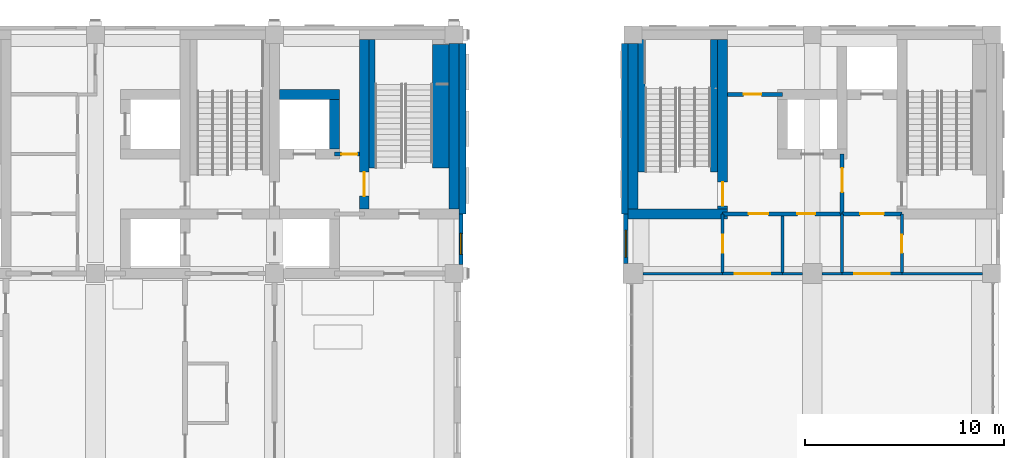
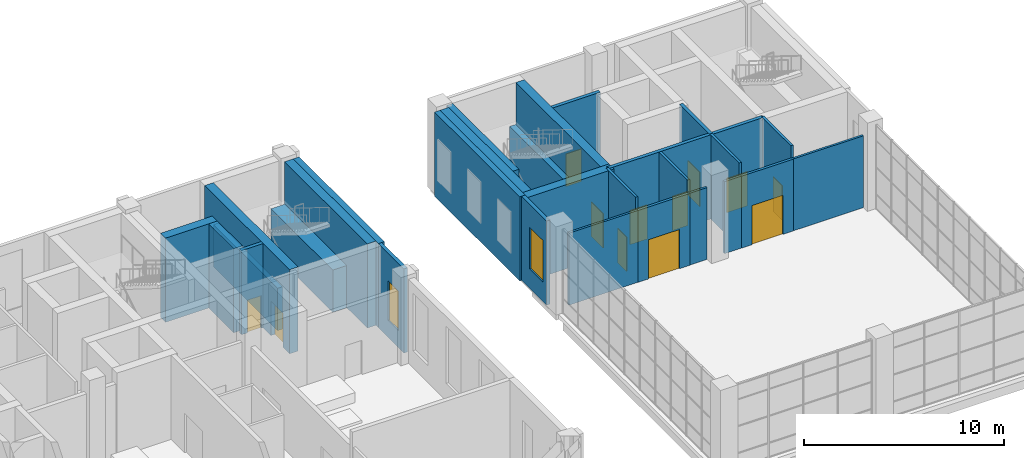
# One storey, part 23 of 33: 30 walls, 12 doors, 2 windows, 14 openings.
"""IFC4 building model written with IfcOpenShell, lengths in metres."""

from ifc_helpers import new_model, si_unit, direction, frame, frame_2d, origin, place, context, subcontext, project, spatial, rectangle, extrude, material, layer, layer_set, type_object, element, fill, save


model = new_model("IFC4")

# Units and contexts
model_context = context("Model", 3, precision=1e-05, world=origin(), true_north=direction((0.0, 1.0)))
body_context = subcontext(model_context, "Body", "Model", "MODEL_VIEW")
ifc_project = project(units=[si_unit("LENGTHUNIT", "METRE"), si_unit("AREAUNIT", "SQUARE_METRE"), si_unit("VOLUMEUNIT", "CUBIC_METRE"), si_unit("PLANEANGLEUNIT", "RADIAN"), si_unit("MASSUNIT", "GRAM", prefix="KILO")], contexts=[model_context])

# Site, building, storey
site_placement = place(None, origin())
site = spatial("IfcSite", under=ifc_project, at=site_placement, CompositionType="ELEMENT")
building_placement = place(site_placement, origin())
building = spatial("IfcBuilding", under=site, at=building_placement, Name="Aurelan Courthouse", CompositionType="ELEMENT")
storey_placement = place(building_placement, frame((0.0, 0.0, 22.800048828125)))
storey = spatial("IfcBuildingStorey", under=building, at=storey_placement, Name="L04", CompositionType="ELEMENT", Elevation=22.800048828125)

# Wall, opening, door
ifc_material_1 = material(Name="Gypsum board on metal studs")
ifc_layer_1 = layer(ifc_material_1, 0.14990234375)
ifc_layer_set_1 = layer_set([ifc_layer_1], Name="Gypsum board on metal studs")
wall_type_1 = type_object("IfcWallType", Name="Corridor partition 150 EI 60", PredefinedType="PARTITIONING", material=ifc_layer_set_1)
wall_1_placement = place(storey_placement, frame((76.5, 54.0, 0.0), z_axis=(0.0, 0.0, 1.0), x_axis=(1.0, 0.0, 0.0)))
wall_1 = element("IfcWall", 1, at=wall_1_placement, inside=storey, type_object=wall_type_1, Name="Corridor partition L04-027", PredefinedType="PARTITIONING", context=body_context, shape_type="SweptSolid", body=[
    extrude(rectangle(XDim=3.0, YDim=0.14990234375, at=frame_2d((1.5, 0.0))), origin(), (0.0, 0.0, 1.0), 4.39990234375),
])
opening_1_placement = place(wall_1_placement, frame((2.400146484375, 0.0, 0.0), z_axis=(0.0, 0.0, 1.0), x_axis=(-1.0, 0.0, 0.0)))
opening_1 = element("IfcOpeningElement", 2, at=opening_1_placement, cuts=wall_1, Name="Opening D-L04-046", PredefinedType="OPENING", context=body_context, shape_type="SweptSolid", body=[
    extrude(rectangle(XDim=1.800048828125, YDim=2.39990234375, at=frame_2d((0.89990234375, 1.199951171875))), frame((0.0, 0.0849609375, 0.0), z_axis=(0.0, -1.0, 0.0), x_axis=(1.0, 0.0, 0.0)), (0.0, 0.0, 1.0), 0.169921875),
])
ifc_material_2 = material(Name="Steel", Category="steel")
door_type_1 = type_object("IfcDoorType", Name="Double door 1800 x 2400 FD60", OperationType="DOUBLE_DOOR_SINGLE_SWING", PredefinedType="DOOR", material=ifc_material_2)
door_1_placement = place(opening_1_placement, origin())
door_1 = element("IfcDoor", 3, at=door_1_placement, inside=storey, type_object=door_type_1, Name="Double door D-L04-046", OperationType="DOUBLE_DOOR_SINGLE_SWING", OverallHeight=2.39990234375, OverallWidth=1.800048828125, PredefinedType="DOOR", context=body_context, shape_type="SweptSolid", body=[
    extrude(rectangle(XDim=1.800048828125, YDim=2.39990234375, at=frame_2d((0.89990234375, 1.199951171875))), frame((0.0, 0.02490234375, 0.0), z_axis=(0.0, -1.0, 0.0), x_axis=(1.0, 0.0, 0.0)), (0.0, 0.0, 1.0), 0.050048828125),
])
fill(opening_1, door_1)

wall_2_placement = place(storey_placement, frame((82.5, 54.0, 0.0), z_axis=(0.0, 0.0, 1.0), x_axis=(1.0, 0.0, 0.0)))
wall_2 = element("IfcWall", 4, at=wall_2_placement, inside=storey, type_object=wall_type_1, Name="Corridor partition L04-030", PredefinedType="PARTITIONING", context=body_context, shape_type="SweptSolid", body=[
    extrude(rectangle(XDim=3.0, YDim=0.14990234375, at=frame_2d((1.5, 0.0))), origin(), (0.0, 0.0, 1.0), 4.39990234375),
])
opening_2_placement = place(wall_2_placement, frame((2.400146484375, 0.0, 0.0), z_axis=(0.0, 0.0, 1.0), x_axis=(-1.0, 0.0, 0.0)))
opening_2 = element("IfcOpeningElement", 5, at=opening_2_placement, cuts=wall_2, Name="Opening D-L04-047", PredefinedType="OPENING", context=body_context, shape_type="SweptSolid", body=[
    extrude(rectangle(XDim=1.800048828125, YDim=2.39990234375, at=frame_2d((0.89990234375, 1.199951171875))), frame((0.0, 0.0849609375, 0.0), z_axis=(0.0, -1.0, 0.0), x_axis=(1.0, 0.0, 0.0)), (0.0, 0.0, 1.0), 0.169921875),
])
door_2_placement = place(opening_2_placement, origin())
door_2 = element("IfcDoor", 6, at=door_2_placement, inside=storey, type_object=door_type_1, Name="Double door D-L04-047", OperationType="DOUBLE_DOOR_SINGLE_SWING", OverallHeight=2.39990234375, OverallWidth=1.800048828125, PredefinedType="DOOR", context=body_context, shape_type="SweptSolid", body=[
    extrude(rectangle(XDim=1.800048828125, YDim=2.39990234375, at=frame_2d((0.89990234375, 1.199951171875))), frame((0.0, 0.02490234375, 0.0), z_axis=(0.0, -1.0, 0.0), x_axis=(1.0, 0.0, 0.0)), (0.0, 0.0, 1.0), 0.050048828125),
])
fill(opening_2, door_2)

wall_3_placement = place(storey_placement, frame((76.5, 54.0625, 0.0), z_axis=(0.0, 0.0, 1.0), x_axis=(0.0, 1.0, 0.0)))
wall_3 = element("IfcWall", 7, at=wall_3_placement, inside=storey, type_object=wall_type_1, Name="Corridor partition L04-060", PredefinedType="PARTITIONING", context=body_context, shape_type="SweptSolid", body=[
    extrude(rectangle(XDim=2.9375, YDim=0.14990234375, at=frame_2d((1.46875, 0.0))), origin(), (0.0, 0.0, 1.0), 5.14990234375),
])
opening_3_placement = place(wall_3_placement, frame((0.987548828125, 0.0, 0.0)))
opening_3 = element("IfcOpeningElement", 8, at=opening_3_placement, cuts=wall_3, Name="Opening D-L04-044", PredefinedType="OPENING", context=body_context, shape_type="SweptSolid", body=[
    extrude(rectangle(XDim=0.89990234375, YDim=2.10009765625, at=frame_2d((0.449951171875, 1.050048828125))), frame((0.0, 0.0849609375, 0.0), z_axis=(0.0, -1.0, 0.0), x_axis=(1.0, 0.0, 0.0)), (0.0, 0.0, 1.0), 0.169921875),
])
door_type_2 = type_object("IfcDoorType", Name="Single door 900 x 2100 FD60", OperationType="SINGLE_SWING_LEFT", PredefinedType="DOOR", material=ifc_material_2)
door_3_placement = place(opening_3_placement, origin())
door_3 = element("IfcDoor", 9, at=door_3_placement, inside=storey, type_object=door_type_2, Name="Single door D-L04-044", OperationType="SINGLE_SWING_LEFT", OverallHeight=2.10009765625, OverallWidth=0.89990234375, PredefinedType="DOOR", context=body_context, shape_type="SweptSolid", body=[
    extrude(rectangle(XDim=0.89990234375, YDim=2.10009765625, at=frame_2d((0.449951171875, 1.050048828125))), frame((0.0, 0.02490234375, 0.0), z_axis=(0.0, -1.0, 0.0), x_axis=(1.0, 0.0, 0.0)), (0.0, 0.0, 1.0), 0.050048828125),
])
fill(opening_3, door_3)

# Walls
wall_4_placement = place(storey_placement, frame((79.5, 54.0625, 0.0), z_axis=(0.0, 0.0, 1.0), x_axis=(0.0, 1.0, 0.0)))
element("IfcWall", 10, at=wall_4_placement, inside=storey, type_object=wall_type_1, Name="Corridor partition L04-061", PredefinedType="PARTITIONING", context=body_context, shape_type="SweptSolid", body=[
    extrude(rectangle(XDim=2.83740234375, YDim=0.14990234375, at=frame_2d((1.418701171875, 0.0))), origin(), (0.0, 0.0, 1.0), 5.14990234375),
])
wall_5_placement = place(storey_placement, frame((82.5, 54.0625, 0.0), z_axis=(0.0, 0.0, 1.0), x_axis=(0.0, 1.0, 0.0)))
element("IfcWall", 11, at=wall_5_placement, inside=storey, type_object=wall_type_1, Name="Corridor partition L04-062", PredefinedType="PARTITIONING", context=body_context, shape_type="SweptSolid", body=[
    extrude(rectangle(XDim=2.9375, YDim=0.14990234375, at=frame_2d((1.46875, 0.0))), origin(), (0.0, 0.0, 1.0), 5.14990234375),
])

# Wall, opening, door
wall_6_placement = place(storey_placement, frame((85.5, 54.0625, 0.0), z_axis=(0.0, 0.0, 1.0), x_axis=(0.0, 1.0, 0.0)))
wall_6 = element("IfcWall", 12, at=wall_6_placement, inside=storey, type_object=wall_type_1, Name="Corridor partition L04-064", PredefinedType="PARTITIONING", context=body_context, shape_type="SweptSolid", body=[
    extrude(rectangle(XDim=2.9375, YDim=0.14990234375, at=frame_2d((1.46875, 0.0))), origin(), (0.0, 0.0, 1.0), 5.14990234375),
])
opening_4_placement = place(wall_6_placement, frame((1.887451171875, 0.0, 0.0), z_axis=(0.0, 0.0, 1.0), x_axis=(-1.0, 0.0, 0.0)))
opening_4 = element("IfcOpeningElement", 13, at=opening_4_placement, cuts=wall_6, Name="Opening D-L04-045", PredefinedType="OPENING", context=body_context, shape_type="SweptSolid", body=[
    extrude(rectangle(XDim=0.89990234375, YDim=2.10009765625, at=frame_2d((0.449951171875, 1.050048828125))), frame((0.0, 0.0849609375, 0.0), z_axis=(0.0, -1.0, 0.0), x_axis=(1.0, 0.0, 0.0)), (0.0, 0.0, 1.0), 0.169921875),
])
door_4_placement = place(opening_4_placement, origin())
door_4 = element("IfcDoor", 14, at=door_4_placement, inside=storey, type_object=door_type_2, Name="Single door D-L04-045", OperationType="SINGLE_SWING_LEFT", OverallHeight=2.10009765625, OverallWidth=0.89990234375, PredefinedType="DOOR", context=body_context, shape_type="SweptSolid", body=[
    extrude(rectangle(XDim=0.89990234375, YDim=2.10009765625, at=frame_2d((0.449951171875, 1.050048828125))), frame((0.0, 0.02490234375, 0.0), z_axis=(0.0, -1.0, 0.0), x_axis=(1.0, 0.0, 0.0)), (0.0, 0.0, 1.0), 0.050048828125),
])
fill(opening_4, door_4)

# Wall, opening, window
ifc_material_3 = material(Name="Limestone cladding", Category="masonry")
ifc_layer_2 = layer(ifc_material_3, 0.054931640625, Name="Facing")
ifc_material_4 = material(Name="Ventilated cavity")
ifc_layer_3 = layer(ifc_material_4, 0.02490234375, ventilated=True, Name="Ventilated cavity")
ifc_material_5 = material(Name="Mineral wool insulation")
ifc_layer_4 = layer(ifc_material_5, 0.030029296875, Name="Insulation")
ifc_material_6 = material(Name="Concrete C30", Category="concrete")
ifc_layer_5 = layer(ifc_material_6, 0.090087890625, Name="Structure")
ifc_layer_set_2 = layer_set([ifc_layer_2, ifc_layer_3, ifc_layer_4, ifc_layer_5], Name="Concrete C30")
wall_type_2 = type_object("IfcWallType", Name="Courtroom Block stone-faced wall 200", PredefinedType="SOLIDWALL", material=ifc_layer_set_2)
wall_7_placement = place(storey_placement, frame((63.35009765625, 54.449951171875, 0.0), z_axis=(0.0, 0.0, 1.0), x_axis=(0.0, 1.0, 0.0)))
wall_7 = element("IfcWall", 15, at=wall_7_placement, inside=storey, type_object=wall_type_2, Name="Facade wall FW-V2-L04-009", PredefinedType="SOLIDWALL", context=body_context, shape_type="SweptSolid", body=[
    extrude(rectangle(XDim=2.550048828125, YDim=0.199951171875, at=frame_2d((1.27490234375, 0.0))), origin(), (0.0, 0.0, 1.0), 5.14990234375),
])
opening_5_placement = place(wall_7_placement, frame((0.52490234375, 0.0, 1.050048828125)))
opening_5 = element("IfcOpeningElement", 16, at=opening_5_placement, cuts=wall_7, Name="Opening WN-V2-L04-014", PredefinedType="OPENING", context=body_context, shape_type="SweptSolid", body=[
    extrude(rectangle(XDim=1.050048828125, YDim=2.39990234375, at=frame_2d((0.52490234375, 1.199951171875))), frame((0.0, 0.10986328125, 0.0), z_axis=(0.0, -1.0, 0.0), x_axis=(1.0, 0.0, 0.0)), (0.0, 0.0, 1.0), 0.219970703125),
])
ifc_material_7 = material(Name="Bronze-finished aluminium and glass", Category="aluminium")
window_type_1 = type_object("IfcWindowType", Name="Courtroom Block window 1050 x 2400, sill 1050", PartitioningType="SINGLE_PANEL", PredefinedType="WINDOW", material=ifc_material_7)
window_1_placement = place(opening_5_placement, origin())
window_1 = element("IfcWindow", 17, at=window_1_placement, inside=storey, type_object=window_type_1, Name="Window WN-V2-L04-014", OverallHeight=2.39990234375, OverallWidth=1.050048828125, PartitioningType="SINGLE_PANEL", PredefinedType="WINDOW", context=body_context, shape_type="SweptSolid", body=[
    extrude(rectangle(XDim=1.050048828125, YDim=2.39990234375, at=frame_2d((0.52490234375, 1.199951171875))), frame((0.0, 0.030029296875, 0.0), z_axis=(0.0, -1.0, 0.0), x_axis=(1.0, 0.0, 0.0)), (0.0, 0.0, 1.0), 0.06005859375),
])
fill(opening_5, window_1)

# Wall
ifc_layer_6 = layer(ifc_material_3, 0.10009765625, Name="Facing")
ifc_layer_7 = layer(ifc_material_4, 0.02490234375, ventilated=True, Name="Ventilated cavity")
ifc_layer_8 = layer(ifc_material_5, 0.050048828125, Name="Insulation")
ifc_layer_9 = layer(ifc_material_6, 0.175048828125, Name="Structure")
ifc_layer_set_3 = layer_set([ifc_layer_6, ifc_layer_7, ifc_layer_8, ifc_layer_9], Name="Concrete C30")
wall_type_3 = type_object("IfcWallType", Name="Courtroom Block stone-faced wall 350", PredefinedType="SOLIDWALL", material=ifc_layer_set_3)
wall_8_placement = place(storey_placement, frame((63.425048828125, 57.0, 0.0), z_axis=(0.0, 0.0, 1.0), x_axis=(0.0, 1.0, 0.0)))
element("IfcWall", 18, at=wall_8_placement, inside=storey, type_object=wall_type_3, Name="Facade wall FW-V2-L04-010", PredefinedType="SOLIDWALL", context=body_context, shape_type="SweptSolid", body=[
    extrude(rectangle(XDim=8.550048828125, YDim=0.35009765625, at=frame_2d((4.27490234375, 0.0))), origin(), (0.0, 0.0, 1.0), 5.14990234375),
])

# Wall, opening, window
ifc_layer_10 = layer(ifc_material_3, 0.06494140625, Name="Facing")
ifc_layer_11 = layer(ifc_material_4, 0.02490234375, ventilated=True, Name="Ventilated cavity")
ifc_layer_12 = layer(ifc_material_5, 0.030029296875, Name="Insulation")
ifc_layer_13 = layer(ifc_material_6, 0.10009765625, Name="Structure")
ifc_layer_set_4 = layer_set([ifc_layer_10, ifc_layer_11, ifc_layer_12, ifc_layer_13], Name="Concrete C30")
wall_type_4 = type_object("IfcWallType", Name="Law Library stone-faced wall 220", PredefinedType="SOLIDWALL", material=ifc_layer_set_4)
wall_9_placement = place(storey_placement, frame((71.639892578125, 54.5, 0.0), z_axis=(0.0, 0.0, 1.0), x_axis=(0.0, 1.0, 0.0)))
wall_9 = element("IfcWall", 19, at=wall_9_placement, inside=storey, type_object=wall_type_4, Name="Facade wall FW-V3-L04-005", PredefinedType="SOLIDWALL", context=body_context, shape_type="SweptSolid", body=[
    extrude(rectangle(XDim=2.5, YDim=0.219970703125, at=frame_2d((1.25, 0.0))), origin(), (0.0, 0.0, 1.0), 5.14990234375),
])
opening_6_placement = place(wall_9_placement, frame((0.324951171875, 0.0, 1.199951171875)))
opening_6 = element("IfcOpeningElement", 20, at=opening_6_placement, cuts=wall_9, Name="Opening WN-V3-L04-002", PredefinedType="OPENING", context=body_context, shape_type="SweptSolid", body=[
    extrude(rectangle(XDim=1.35009765625, YDim=2.550048828125, at=frame_2d((0.675048828125, 1.27490234375))), frame((0.0, 0.119873046875, 0.0), z_axis=(0.0, -1.0, 0.0), x_axis=(1.0, 0.0, 0.0)), (0.0, 0.0, 1.0), 0.239990234375),
])
window_type_2 = type_object("IfcWindowType", Name="Law Library window 1350 x 2550, sill 1200", PartitioningType="SINGLE_PANEL", PredefinedType="WINDOW", material=ifc_material_7)
window_2_placement = place(opening_6_placement, origin())
window_2 = element("IfcWindow", 21, at=window_2_placement, inside=storey, type_object=window_type_2, Name="Window WN-V3-L04-002", OverallHeight=2.550048828125, OverallWidth=1.35009765625, PartitioningType="SINGLE_PANEL", PredefinedType="WINDOW", context=body_context, shape_type="SweptSolid", body=[
    extrude(rectangle(XDim=1.35009765625, YDim=2.550048828125, at=frame_2d((0.675048828125, 1.27490234375))), frame((0.0, 0.030029296875, 0.0), z_axis=(0.0, -1.0, 0.0), x_axis=(1.0, 0.0, 0.0)), (0.0, 0.0, 1.0), 0.06005859375),
])
fill(opening_6, window_2)

# Wall
ifc_layer_14 = layer(ifc_material_3, 0.090087890625, Name="Facing")
ifc_layer_15 = layer(ifc_material_4, 0.02490234375, ventilated=True, Name="Ventilated cavity")
ifc_layer_16 = layer(ifc_material_5, 0.044921875, Name="Insulation")
ifc_layer_17 = layer(ifc_material_6, 0.159912109375, Name="Structure")
ifc_layer_set_5 = layer_set([ifc_layer_14, ifc_layer_15, ifc_layer_16, ifc_layer_17], Name="Concrete C30")
wall_type_5 = type_object("IfcWallType", Name="Law Library stone-faced wall 320", PredefinedType="SOLIDWALL", material=ifc_layer_set_5)
wall_10_placement = place(storey_placement, frame((71.590087890625, 57.0, 0.0), z_axis=(0.0, 0.0, 1.0), x_axis=(0.0, 1.0, 0.0)))
element("IfcWall", 22, at=wall_10_placement, inside=storey, type_object=wall_type_5, Name="Facade wall FW-V3-L04-006", PredefinedType="SOLIDWALL", context=body_context, shape_type="SweptSolid", body=[
    extrude(rectangle(XDim=8.550048828125, YDim=0.320068359375, at=frame_2d((4.27490234375, 0.0))), origin(), (0.0, 0.0, 1.0), 5.14990234375),
])

# Wall, openings, doors
ifc_material_8 = material(Name="Masonry block", Category="masonry")
ifc_layer_18 = layer(ifc_material_8, 0.199951171875)
ifc_layer_set_6 = layer_set([ifc_layer_18], Name="Masonry block")
wall_type_6 = type_object("IfcWallType", Name="Lift lobby wall 200 EI 60", PredefinedType="PARTITIONING", material=ifc_layer_set_6)
wall_11_placement = place(storey_placement, frame((76.5, 57.0, 0.0), z_axis=(0.0, 0.0, 1.0), x_axis=(1.0, 0.0, 0.0)))
wall_11 = element("IfcWall", 23, at=wall_11_placement, inside=storey, type_object=wall_type_6, Name="Lift lobby wall L04-034", PredefinedType="PARTITIONING", context=body_context, shape_type="SweptSolid", body=[
    extrude(rectangle(XDim=6.0, YDim=0.199951171875, at=frame_2d((3.0, 0.0))), origin(), (0.0, 0.0, 1.0), 5.14990234375),
])
opening_7_placement = place(wall_11_placement, frame((4.64990234375, 0.0, 0.0), z_axis=(0.0, 0.0, 1.0), x_axis=(-1.0, 0.0, 0.0)))
opening_7 = element("IfcOpeningElement", 24, at=opening_7_placement, cuts=wall_11, Name="Opening D-L04-041", PredefinedType="OPENING", context=body_context, shape_type="SweptSolid", body=[
    extrude(rectangle(XDim=0.89990234375, YDim=2.10009765625, at=frame_2d((0.449951171875, 1.050048828125))), frame((0.0, 0.10986328125, 0.0), z_axis=(0.0, -1.0, 0.0), x_axis=(1.0, 0.0, 0.0)), (0.0, 0.0, 1.0), 0.219970703125),
])
opening_8_placement = place(wall_11_placement, frame((1.300048828125, 0.0, 0.0)))
opening_8 = element("IfcOpeningElement", 25, at=opening_8_placement, cuts=wall_11, Name="Opening D-L04-042", PredefinedType="OPENING", context=body_context, shape_type="SweptSolid", body=[
    extrude(rectangle(XDim=1.0, YDim=2.10009765625, at=frame_2d((0.5, 1.050048828125))), frame((0.0, 0.10986328125, 0.0), z_axis=(0.0, -1.0, 0.0), x_axis=(1.0, 0.0, 0.0)), (0.0, 0.0, 1.0), 0.219970703125),
])
door_type_3 = type_object("IfcDoorType", Name="Single door 1000 x 2100 FD60", OperationType="SINGLE_SWING_LEFT", PredefinedType="DOOR", material=ifc_material_2)
door_5_placement = place(opening_8_placement, origin())
door_5 = element("IfcDoor", 26, at=door_5_placement, inside=storey, type_object=door_type_3, Name="Single door D-L04-042", OperationType="SINGLE_SWING_LEFT", OverallHeight=2.10009765625, OverallWidth=1.0, PredefinedType="DOOR", context=body_context, shape_type="SweptSolid", body=[
    extrude(rectangle(XDim=1.0, YDim=2.10009765625, at=frame_2d((0.5, 1.050048828125))), frame((0.0, 0.02490234375, 0.0), z_axis=(0.0, -1.0, 0.0), x_axis=(1.0, 0.0, 0.0)), (0.0, 0.0, 1.0), 0.050048828125),
])
fill(opening_8, door_5)
door_6_placement = place(opening_7_placement, origin())
door_6 = element("IfcDoor", 27, at=door_6_placement, inside=storey, type_object=door_type_2, Name="Single door D-L04-041", OperationType="SINGLE_SWING_RIGHT", OverallHeight=2.10009765625, OverallWidth=0.89990234375, PredefinedType="DOOR", context=body_context, shape_type="SweptSolid", body=[
    extrude(rectangle(XDim=0.89990234375, YDim=2.10009765625, at=frame_2d((0.449951171875, 1.050048828125))), frame((0.0, 0.02490234375, 0.0), z_axis=(0.0, -1.0, 0.0), x_axis=(1.0, 0.0, 0.0)), (0.0, 0.0, 1.0), 0.050048828125),
])
fill(opening_7, door_6)

# Wall, opening, door
wall_12_placement = place(storey_placement, frame((82.5, 57.0, 0.0), z_axis=(0.0, 0.0, 1.0), x_axis=(1.0, 0.0, 0.0)))
wall_12 = element("IfcWall", 28, at=wall_12_placement, inside=storey, type_object=wall_type_6, Name="Lift lobby wall L04-035", PredefinedType="PARTITIONING", context=body_context, shape_type="SweptSolid", body=[
    extrude(rectangle(XDim=3.0, YDim=0.199951171875, at=frame_2d((1.5, 0.0))), origin(), (0.0, 0.0, 1.0), 5.14990234375),
])
opening_9_placement = place(wall_12_placement, frame((0.89990234375, 0.0, 0.0)))
opening_9 = element("IfcOpeningElement", 29, at=opening_9_placement, cuts=wall_12, Name="Opening D-L04-043", PredefinedType="OPENING", context=body_context, shape_type="SweptSolid", body=[
    extrude(rectangle(XDim=1.199951171875, YDim=2.10009765625, at=frame_2d((0.60009765625, 1.050048828125))), frame((0.0, 0.10986328125, 0.0), z_axis=(0.0, -1.0, 0.0), x_axis=(1.0, 0.0, 0.0)), (0.0, 0.0, 1.0), 0.219970703125),
])
door_type_4 = type_object("IfcDoorType", Name="Single door 1200 x 2100 FD60", OperationType="SINGLE_SWING_LEFT", PredefinedType="DOOR", material=ifc_material_2)
door_7_placement = place(opening_9_placement, origin())
door_7 = element("IfcDoor", 30, at=door_7_placement, inside=storey, type_object=door_type_4, Name="Single door D-L04-043", OperationType="SINGLE_SWING_RIGHT", OverallHeight=2.10009765625, OverallWidth=1.199951171875, PredefinedType="DOOR", context=body_context, shape_type="SweptSolid", body=[
    extrude(rectangle(XDim=1.199951171875, YDim=2.10009765625, at=frame_2d((0.60009765625, 1.050048828125))), frame((0.0, 0.02490234375, 0.0), z_axis=(0.0, -1.0, 0.0), x_axis=(1.0, 0.0, 0.0)), (0.0, 0.0, 1.0), 0.050048828125),
])
fill(opening_9, door_7)

wall_13_placement = place(storey_placement, frame((82.5, 57.0, 0.0), z_axis=(0.0, 0.0, 1.0), x_axis=(0.0, 1.0, 0.0)))
wall_13 = element("IfcWall", 31, at=wall_13_placement, inside=storey, type_object=wall_type_6, Name="Lift lobby wall L04-063", PredefinedType="PARTITIONING", context=body_context, shape_type="SweptSolid", body=[
    extrude(rectangle(XDim=3.0, YDim=0.199951171875, at=frame_2d((1.5, 0.0))), origin(), (0.0, 0.0, 1.0), 5.14990234375),
])
opening_10_placement = place(wall_13_placement, frame((2.300048828125, 0.0, 0.0), z_axis=(0.0, 0.0, 1.0), x_axis=(-1.0, 0.0, 0.0)))
opening_10 = element("IfcOpeningElement", 32, at=opening_10_placement, cuts=wall_13, Name="Opening D-L04-036", PredefinedType="OPENING", context=body_context, shape_type="SweptSolid", body=[
    extrude(rectangle(XDim=1.199951171875, YDim=2.10009765625, at=frame_2d((0.60009765625, 1.050048828125))), frame((0.0, 0.10986328125, 0.0), z_axis=(0.0, -1.0, 0.0), x_axis=(1.0, 0.0, 0.0)), (0.0, 0.0, 1.0), 0.219970703125),
])
door_8_placement = place(opening_10_placement, origin())
door_8 = element("IfcDoor", 33, at=door_8_placement, inside=storey, type_object=door_type_4, Name="Single door D-L04-036", OperationType="SINGLE_SWING_LEFT", OverallHeight=2.10009765625, OverallWidth=1.199951171875, PredefinedType="DOOR", context=body_context, shape_type="SweptSolid", body=[
    extrude(rectangle(XDim=1.199951171875, YDim=2.10009765625, at=frame_2d((0.60009765625, 1.050048828125))), frame((0.0, 0.02490234375, 0.0), z_axis=(0.0, -1.0, 0.0), x_axis=(1.0, 0.0, 0.0)), (0.0, 0.0, 1.0), 0.050048828125),
])
fill(opening_10, door_8)

# Wall
ifc_material_9 = material(Name="Concrete C50", Category="concrete")
ifc_layer_19 = layer(ifc_material_9, 0.5)
ifc_layer_set_7 = layer_set([ifc_layer_19], Name="Concrete C50")
wall_type_7 = type_object("IfcWallType", Name="RC shear wall 500", PredefinedType="SHEAR", material=ifc_layer_set_7)
wall_14_placement = place(storey_placement, frame((71.75, 57.0, 0.0), z_axis=(0.0, 0.0, 1.0), x_axis=(1.0, 0.0, 0.0)))
element("IfcWall", 34, at=wall_14_placement, inside=storey, type_object=wall_type_7, Name="Core wall SW-L04-028", PredefinedType="SHEAR", context=body_context, shape_type="SweptSolid", body=[
    extrude(rectangle(XDim=5.0, YDim=0.5, at=frame_2d((2.5, 0.0))), origin(), (0.0, 0.0, 1.0), 5.14990234375),
])

# Wall, opening, door
wall_15_placement = place(storey_placement, frame((58.5, 57.25, 0.0), z_axis=(0.0, 0.0, 1.0), x_axis=(0.0, 1.0, 0.0)))
wall_15 = element("IfcWall", 35, at=wall_15_placement, inside=storey, type_object=wall_type_7, Name="Core wall SW-L04-031", PredefinedType="SHEAR", context=body_context, shape_type="SweptSolid", body=[
    extrude(rectangle(XDim=8.5, YDim=0.5, at=frame_2d((4.25, 0.0))), origin(), (0.0, 0.0, 1.0), 5.14990234375),
])
opening_11_placement = place(wall_15_placement, frame((1.849853515625, 0.0, 0.0), z_axis=(0.0, 0.0, 1.0), x_axis=(-1.0, 0.0, 0.0)))
opening_11 = element("IfcOpeningElement", 36, at=opening_11_placement, cuts=wall_15, Name="Opening D-L04-008", PredefinedType="OPENING", context=body_context, shape_type="SweptSolid", body=[
    extrude(rectangle(XDim=1.199951171875, YDim=2.10009765625, at=frame_2d((0.60009765625, 1.050048828125))), frame((0.0, 0.260009765625, 0.0), z_axis=(0.0, -1.0, 0.0), x_axis=(1.0, 0.0, 0.0)), (0.0, 0.0, 1.0), 0.52001953125),
])
door_type_5 = type_object("IfcDoorType", Name="Single door 1200 x 2100 FD90", OperationType="SINGLE_SWING_LEFT", PredefinedType="DOOR", material=ifc_material_2)
door_9_placement = place(opening_11_placement, origin())
door_9 = element("IfcDoor", 37, at=door_9_placement, inside=storey, type_object=door_type_5, Name="Single door D-L04-008", OperationType="SINGLE_SWING_RIGHT", OverallHeight=2.10009765625, OverallWidth=1.199951171875, PredefinedType="DOOR", context=body_context, shape_type="SweptSolid", body=[
    extrude(rectangle(XDim=1.199951171875, YDim=2.10009765625, at=frame_2d((0.60009765625, 1.050048828125))), frame((0.0, 0.02490234375, 0.0), z_axis=(0.0, -1.0, 0.0), x_axis=(1.0, 0.0, 0.0)), (0.0, 0.0, 1.0), 0.050048828125),
])
fill(opening_11, door_9)

# Walls
for number, where, z_axis, x_axis, name in (
    (38, (63.0, 57.25, 0.0), (0.0, 0.0, 1.0), (0.0, 1.0, 0.0), "Core wall SW-L04-032"),
    (39, (72.0, 57.25, 0.0), (0.0, 0.0, 1.0), (0.0, 1.0, 0.0), "Core wall SW-L04-033"),
):
    element("IfcWall", number, at=place(storey_placement, frame(where, z_axis=z_axis, x_axis=x_axis)), inside=storey, type_object=wall_type_7, Name=name, PredefinedType="SHEAR", context=body_context, shape_type="SweptSolid", body=[
        extrude(rectangle(XDim=8.300048828125, YDim=0.5, at=frame_2d((4.14990234375, 0.0))), origin(), (0.0, 0.0, 1.0), 5.14990234375),
    ])

# Wall, opening, door
wall_16_placement = place(storey_placement, frame((76.5, 57.25, 0.0), z_axis=(0.0, 0.0, 1.0), x_axis=(0.0, 1.0, 0.0)))
wall_16 = element("IfcWall", 40, at=wall_16_placement, inside=storey, type_object=wall_type_7, Name="Core wall SW-L04-034", PredefinedType="SHEAR", context=body_context, shape_type="SweptSolid", body=[
    extrude(rectangle(XDim=8.5, YDim=0.5, at=frame_2d((4.25, 0.0))), origin(), (0.0, 0.0, 1.0), 5.14990234375),
])
opening_12_placement = place(wall_16_placement, frame((0.14990234375, 0.0, 0.0)))
opening_12 = element("IfcOpeningElement", 41, at=opening_12_placement, cuts=wall_16, Name="Opening D-L04-035", PredefinedType="OPENING", context=body_context, shape_type="SweptSolid", body=[
    extrude(rectangle(XDim=1.199951171875, YDim=2.10009765625, at=frame_2d((0.60009765625, 1.050048828125))), frame((0.0, 0.260009765625, 0.0), z_axis=(0.0, -1.0, 0.0), x_axis=(1.0, 0.0, 0.0)), (0.0, 0.0, 1.0), 0.52001953125),
])
door_10_placement = place(opening_12_placement, origin())
door_10 = element("IfcDoor", 42, at=door_10_placement, inside=storey, type_object=door_type_5, Name="Single door D-L04-035", OperationType="SINGLE_SWING_LEFT", OverallHeight=2.10009765625, OverallWidth=1.199951171875, PredefinedType="DOOR", context=body_context, shape_type="SweptSolid", body=[
    extrude(rectangle(XDim=1.199951171875, YDim=2.10009765625, at=frame_2d((0.60009765625, 1.050048828125))), frame((0.0, 0.02490234375, 0.0), z_axis=(0.0, -1.0, 0.0), x_axis=(1.0, 0.0, 0.0)), (0.0, 0.0, 1.0), 0.050048828125),
])
fill(opening_12, door_10)

# Walls
wall_17_placement = place(storey_placement, frame((57.0, 60.25, 0.0), z_axis=(0.0, 0.0, 1.0), x_axis=(0.0, 1.0, 0.0)))
element("IfcWall", 43, at=wall_17_placement, inside=storey, type_object=wall_type_7, Name="Core wall SW-L04-041", PredefinedType="SHEAR", context=body_context, shape_type="SweptSolid", body=[
    extrude(rectangle(XDim=2.5, YDim=0.5, at=frame_2d((1.25, 0.0))), origin(), (0.0, 0.0, 1.0), 5.14990234375),
])
wall_18_placement = place(storey_placement, frame((54.25, 63.0, 0.0), z_axis=(0.0, 0.0, 1.0), x_axis=(1.0, 0.0, 0.0)))
element("IfcWall", 44, at=wall_18_placement, inside=storey, type_object=wall_type_7, Name="Core wall SW-L04-045", PredefinedType="SHEAR", context=body_context, shape_type="SweptSolid", body=[
    extrude(rectangle(XDim=3.0, YDim=0.5, at=frame_2d((1.5, 0.0))), origin(), (0.0, 0.0, 1.0), 5.14990234375),
])

# Wall, opening, door
ifc_layer_20 = layer(ifc_material_6, 0.199951171875)
ifc_layer_set_8 = layer_set([ifc_layer_20], Name="Concrete C30")
wall_type_8 = type_object("IfcWallType", Name="Shaft wall 200 EI 120 load-bearing", PredefinedType="SHEAR", material=ifc_layer_set_8)
wall_19_placement = place(storey_placement, frame((57.0, 60.0, 0.0), z_axis=(0.0, 0.0, 1.0), x_axis=(1.0, 0.0, 0.0)))
wall_19 = element("IfcWall", 45, at=wall_19_placement, inside=storey, type_object=wall_type_8, Name="Shaft wall L04-037", PredefinedType="SHEAR", context=body_context, shape_type="SweptSolid", body=[
    extrude(rectangle(XDim=1.25, YDim=0.199951171875, at=frame_2d((0.625, 0.0))), origin(), (0.0, 0.0, 1.0), 5.14990234375),
])
opening_13_placement = place(wall_19_placement, frame((1.150146484375, 0.0, 0.0), z_axis=(0.0, 0.0, 1.0), x_axis=(-1.0, 0.0, 0.0)))
opening_13 = element("IfcOpeningElement", 46, at=opening_13_placement, cuts=wall_19, Name="Opening D-L04-009", PredefinedType="OPENING", context=body_context, shape_type="SweptSolid", body=[
    extrude(rectangle(XDim=0.800048828125, YDim=2.0, at=frame_2d((0.39990234375, 1.0))), frame((0.0, 0.10986328125, 0.0), z_axis=(0.0, -1.0, 0.0), x_axis=(1.0, 0.0, 0.0)), (0.0, 0.0, 1.0), 0.219970703125),
])
door_type_6 = type_object("IfcDoorType", Name="Single door 800 x 2000 FD90", OperationType="SINGLE_SWING_LEFT", PredefinedType="DOOR", material=ifc_material_2)
door_11_placement = place(opening_13_placement, origin())
door_11 = element("IfcDoor", 47, at=door_11_placement, inside=storey, type_object=door_type_6, Name="Single door D-L04-009", OperationType="SINGLE_SWING_LEFT", OverallHeight=2.0, OverallWidth=0.800048828125, PredefinedType="DOOR", context=body_context, shape_type="SweptSolid", body=[
    extrude(rectangle(XDim=0.800048828125, YDim=2.0, at=frame_2d((0.39990234375, 1.0))), frame((0.0, 0.02490234375, 0.0), z_axis=(0.0, -1.0, 0.0), x_axis=(1.0, 0.0, 0.0)), (0.0, 0.0, 1.0), 0.050048828125),
])
fill(opening_13, door_11)

wall_20_placement = place(storey_placement, frame((76.75, 63.0, 0.0), z_axis=(0.0, 0.0, 1.0), x_axis=(1.0, 0.0, 0.0)))
wall_20 = element("IfcWall", 48, at=wall_20_placement, inside=storey, type_object=wall_type_8, Name="Shaft wall L04-040", PredefinedType="SHEAR", context=body_context, shape_type="SweptSolid", body=[
    extrude(rectangle(XDim=2.75, YDim=0.199951171875, at=frame_2d((1.375, 0.0))), origin(), (0.0, 0.0, 1.0), 5.14990234375),
])
opening_14_placement = place(wall_20_placement, frame((0.800048828125, 0.0, 0.0)))
opening_14 = element("IfcOpeningElement", 49, at=opening_14_placement, cuts=wall_20, Name="Opening D-L04-038", PredefinedType="OPENING", context=body_context, shape_type="SweptSolid", body=[
    extrude(rectangle(XDim=0.89990234375, YDim=2.0, at=frame_2d((0.449951171875, 1.0))), frame((0.0, 0.10986328125, 0.0), z_axis=(0.0, -1.0, 0.0), x_axis=(1.0, 0.0, 0.0)), (0.0, 0.0, 1.0), 0.219970703125),
])
door_type_7 = type_object("IfcDoorType", Name="Single door 900 x 2000 FD90", OperationType="SINGLE_SWING_LEFT", PredefinedType="DOOR", material=ifc_material_2)
door_12_placement = place(opening_14_placement, origin())
door_12 = element("IfcDoor", 50, at=door_12_placement, inside=storey, type_object=door_type_7, Name="Single door D-L04-038", OperationType="SINGLE_SWING_LEFT", OverallHeight=2.0, OverallWidth=0.89990234375, PredefinedType="DOOR", context=body_context, shape_type="SweptSolid", body=[
    extrude(rectangle(XDim=0.89990234375, YDim=2.0, at=frame_2d((0.449951171875, 1.0))), frame((0.0, 0.02490234375, 0.0), z_axis=(0.0, -1.0, 0.0), x_axis=(1.0, 0.0, 0.0)), (0.0, 0.0, 1.0), 0.050048828125),
])
fill(opening_14, door_12)

# Walls
ifc_layer_21 = layer(ifc_material_6, 0.2900390625)
ifc_layer_set_9 = layer_set([ifc_layer_21], Name="Concrete C30")
wall_type_9 = type_object("IfcWallType", Name="Stair well wall 290 EI 120 load-bearing", PredefinedType="SHEAR", material=ifc_layer_set_9)
wall_21_placement = place(storey_placement, frame((58.89501953125, 59.31005859375, 0.0), z_axis=(0.0, 0.0, 1.0), x_axis=(0.0, 1.0, 0.0)))
element("IfcWall", 51, at=wall_21_placement, inside=storey, type_object=wall_type_9, Name="Stair well wall ST-2E-L04 A", PredefinedType="SHEAR", context=body_context, shape_type="SweptSolid", body=[
    extrude(rectangle(XDim=6.43994140625, YDim=0.2900390625, at=frame_2d((3.219970703125, 0.0))), origin(), (0.0, 0.0, 1.0), 2.587158203125),
])
ifc_layer_22 = layer(ifc_material_6, 0.35009765625)
ifc_layer_set_10 = layer_set([ifc_layer_22], Name="Concrete C30")
wall_type_10 = type_object("IfcWallType", Name="Stair well wall 350 EI 120 load-bearing", PredefinedType="SHEAR", material=ifc_layer_set_10)
wall_22_placement = place(storey_placement, frame((72.425048828125, 59.110107421875, 0.0), z_axis=(0.0, 0.0, 1.0), x_axis=(0.0, 1.0, 0.0)))
element("IfcWall", 52, at=wall_22_placement, inside=storey, type_object=wall_type_10, Name="Stair well wall ST-3A-L04 A", PredefinedType="SHEAR", context=body_context, shape_type="SweptSolid", body=[
    extrude(rectangle(XDim=6.639892578125, YDim=0.35009765625, at=frame_2d((3.31982421875, 0.0))), origin(), (0.0, 0.0, 1.0), 5.14990234375),
])
wall_23_placement = place(storey_placement, frame((76.074951171875, 59.110107421875, 0.0), z_axis=(0.0, 0.0, 1.0), x_axis=(0.0, 1.0, 0.0)))
element("IfcWall", 53, at=wall_23_placement, inside=storey, type_object=wall_type_10, Name="Stair well wall ST-3A-L04 B", PredefinedType="SHEAR", context=body_context, shape_type="SweptSolid", body=[
    extrude(rectangle(XDim=6.639892578125, YDim=0.35009765625, at=frame_2d((3.31982421875, 0.0))), origin(), (0.0, 0.0, 1.0), 2.587158203125),
])
ifc_layer_23 = layer(ifc_material_6, 0.81005859375)
ifc_layer_set_11 = layer_set([ifc_layer_23], Name="Concrete C30")
wall_type_11 = type_object("IfcWallType", Name="Stair well wall 810 EI 120 load-bearing", PredefinedType="SHEAR", material=ifc_layer_set_11)
wall_24_placement = place(storey_placement, frame((62.344970703125, 59.31005859375, 0.0), z_axis=(0.0, 0.0, 1.0), x_axis=(0.0, 1.0, 0.0)))
element("IfcWall", 54, at=wall_24_placement, inside=storey, type_object=wall_type_11, Name="Stair well wall ST-2E-L04 B", PredefinedType="SHEAR", context=body_context, shape_type="SweptSolid", body=[
    extrude(rectangle(XDim=6.18994140625, YDim=0.81005859375, at=frame_2d((3.094970703125, 0.0))), origin(), (0.0, 0.0, 1.0), 2.587158203125),
])
ifc_material_10 = material(Name="Moisture-resistant board on metal studs")
ifc_layer_24 = layer(ifc_material_10, 0.125)
ifc_layer_set_12 = layer_set([ifc_layer_24], Name="Moisture-resistant board on metal studs")
wall_type_12 = type_object("IfcWallType", Name="Wet-area partition 125 NOT RATED", PredefinedType="PARTITIONING", material=ifc_layer_set_12)
wall_25_placement = place(storey_placement, frame((72.5, 54.0, 0.0), z_axis=(0.0, 0.0, 1.0), x_axis=(1.0, 0.0, 0.0)))
element("IfcWall", 55, at=wall_25_placement, inside=storey, type_object=wall_type_12, Name="Wet-area partition L04-026", PredefinedType="PARTITIONING", context=body_context, shape_type="SweptSolid", body=[
    extrude(rectangle(XDim=4.0, YDim=0.125, at=frame_2d((2.0, 0.0))), origin(), (0.0, 0.0, 1.0), 4.39990234375),
])
for number, where, z_axis, x_axis, name in (
    (56, (79.5, 54.0, 0.0), (0.0, 0.0, 1.0), (1.0, 0.0, 0.0), "Wet-area partition L04-028"),
    (57, (81.5, 54.0, 0.0), (0.0, 0.0, 1.0), (1.0, 0.0, 0.0), "Wet-area partition L04-029"),
):
    element("IfcWall", number, at=place(storey_placement, frame(where, z_axis=z_axis, x_axis=x_axis)), inside=storey, type_object=wall_type_12, Name=name, PredefinedType="PARTITIONING", context=body_context, shape_type="SweptSolid", body=[
        extrude(rectangle(XDim=1.0, YDim=0.125, at=frame_2d((0.5, 0.0))), origin(), (0.0, 0.0, 1.0), 4.39990234375),
    ])
wall_26_placement = place(storey_placement, frame((85.5, 54.0, 0.0), z_axis=(0.0, 0.0, 1.0), x_axis=(1.0, 0.0, 0.0)))
element("IfcWall", 58, at=wall_26_placement, inside=storey, type_object=wall_type_12, Name="Wet-area partition L04-031", PredefinedType="PARTITIONING", context=body_context, shape_type="SweptSolid", body=[
    extrude(rectangle(XDim=4.050048828125, YDim=0.125, at=frame_2d((2.02490234375, 0.0))), origin(), (0.0, 0.0, 1.0), 4.39990234375),
])

save(model, "model.ifc")
